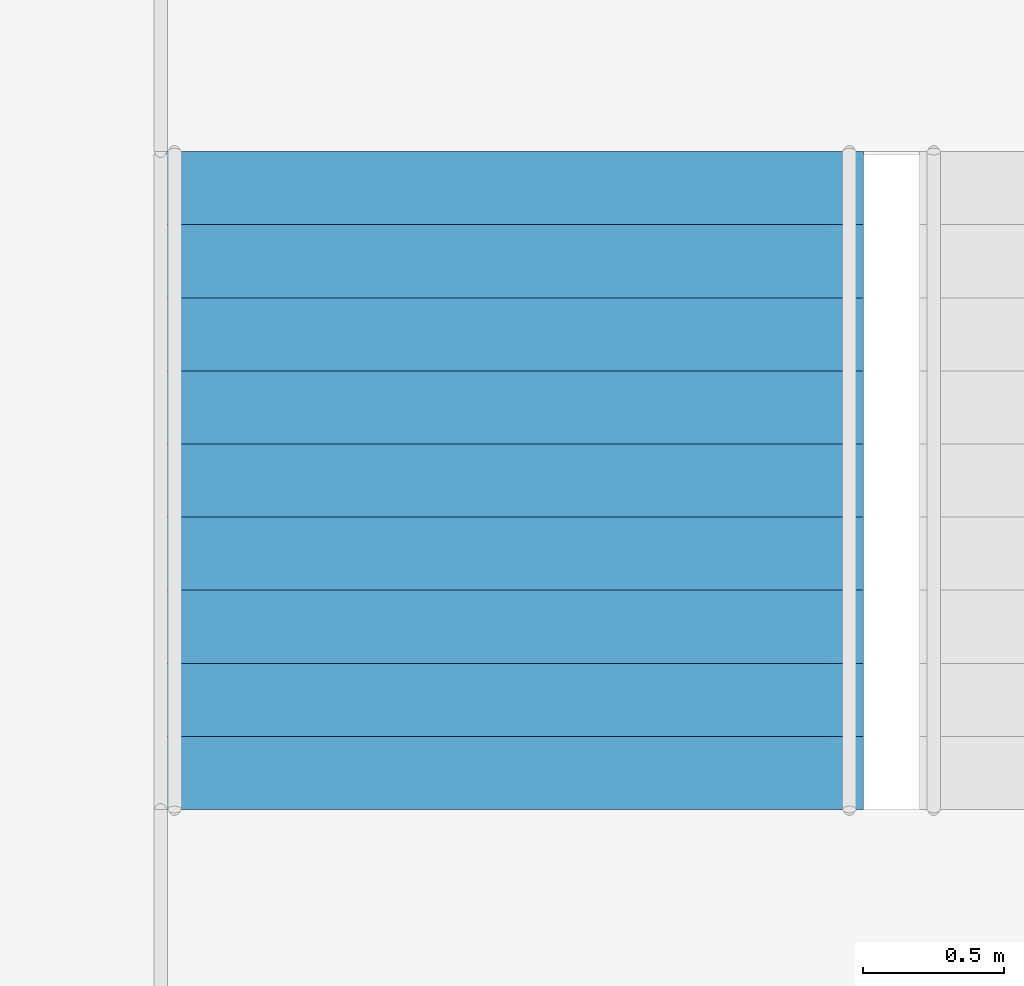
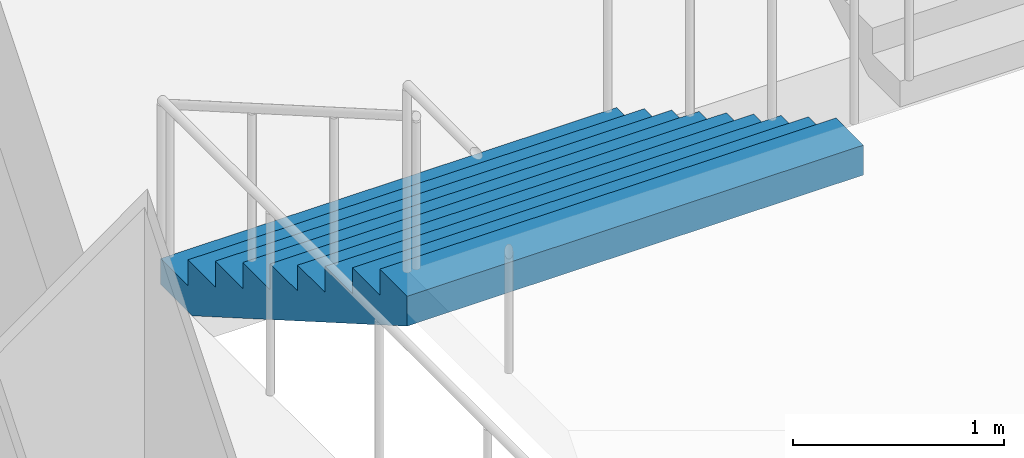
# One storey, part 70 of 100: 1 stair flight, 1 element without a shape of its own.
"""IFC4 building model written with IfcOpenShell, lengths in metres."""

from ifc_helpers import new_model, si_unit, direction, frame, origin, place, context, subcontext, project, spatial, triangles, material, type_object, element, aggregate, save


model = new_model("IFC4")

# Units and contexts
model_context = context("Model", 3, precision=1e-05, world=origin(), true_north=direction((0.0, 1.0)))
body_context = subcontext(model_context, "Body", "Model", "MODEL_VIEW")
ifc_project = project(units=[si_unit("LENGTHUNIT", "METRE"), si_unit("AREAUNIT", "SQUARE_METRE"), si_unit("VOLUMEUNIT", "CUBIC_METRE"), si_unit("PLANEANGLEUNIT", "RADIAN"), si_unit("MASSUNIT", "GRAM", prefix="KILO")], contexts=[model_context])

# Site, building, storey
site_placement = place(None, origin())
site = spatial("IfcSite", under=ifc_project, at=site_placement, CompositionType="ELEMENT")
building_placement = place(site_placement, origin())
building = spatial("IfcBuilding", under=site, at=building_placement, Name="Hakoniwa Tower and Hamabe Station Hall", CompositionType="ELEMENT")
storey_placement = place(building_placement, frame((0.0, 0.0, 9.0)))
storey = spatial("IfcBuildingStorey", under=building, at=storey_placement, Name="L02", CompositionType="ELEMENT", Elevation=9.0)

# Stair, stair flight
ifc_material_1 = material(Name="Concrete C40", Category="concrete")
stair_type = type_object("IfcStairType", Name="STAIR 2500 10X150", PredefinedType="HALF_TURN_STAIR", material=ifc_material_1)
stair_placement = place(storey_placement, origin())
stair = element("IfcStair", 1, at=stair_placement, inside=storey, type_object=stair_type, Name="Escape stair PS2", PredefinedType="HALF_TURN_STAIR")
ifc_material_2 = material(Name="Concrete C40", Category="concrete")
stair_flight_type = type_object("IfcStairFlightType", Name="STAIR FLIGHT 2500", PredefinedType="STRAIGHT", material=ifc_material_2)
stair_flight_placement = place(storey_placement, frame((45.10009765625, 22.35009765625, 0.0), z_axis=(0.0, 0.0, 1.0), x_axis=(0.0, -1.0, 0.0)))
stair_flight = element("IfcStairFlight", 2, at=stair_flight_placement, type_object=stair_flight_type, Name="PS2 flight 1", NumberOfRisers=10, NumberOfTreads=9, PredefinedType="STRAIGHT", RiserHeight=0.15, TreadLength=0.26, context=body_context, shape_type="Tessellation", body=[
    triangles([(0.0, 1.25, 0.0), (0.260009765625, 1.25, 0.0), (0.300048828125, 1.25, 0.0), (0.52001953125, 1.25, 0.126953125), (0.780029296875, 1.25, 0.27685546875), (1.0400390625, 1.25, 0.427001953125), (1.300048828125, 1.25, 0.576904296875), (1.56005859375, 1.25, 0.72705078125), (1.820068359375, 1.25, 0.876953125), (2.080078125, 1.25, 1.02685546875), (2.340087890625, 1.25, 1.177001953125), (2.340087890625, 1.25, 1.35009765625), (2.080078125, 1.25, 1.35009765625), (2.080078125, 1.25, 1.199951171875), (1.820068359375, 1.25, 1.199951171875), (1.820068359375, 1.25, 1.050048828125), (1.56005859375, 1.25, 1.050048828125), (1.56005859375, 1.25, 0.89990234375), (1.300048828125, 1.25, 0.89990234375), (1.300048828125, 1.25, 0.75), (1.0400390625, 1.25, 0.75), (1.0400390625, 1.25, 0.60009765625), (0.780029296875, 1.25, 0.60009765625), (0.780029296875, 1.25, 0.449951171875), (0.52001953125, 1.25, 0.449951171875), (0.52001953125, 1.25, 0.300048828125), (0.300048828125, 1.25, 0.300048828125), (0.260009765625, 1.25, 0.300048828125), (0.260009765625, 1.25, 0.14990234375), (0.0, 1.25, 0.14990234375), (0.0, 0.06005859375, 0.0), (0.260009765625, 0.06005859375, 0.0), (0.300048828125, 0.06005859375, 0.0), (0.52001953125, 0.06005859375, 0.126953125), (0.780029296875, 0.06005859375, 0.27685546875), (1.0400390625, 0.06005859375, 0.427001953125), (1.300048828125, 0.06005859375, 0.576904296875), (1.56005859375, 0.06005859375, 0.72705078125), (1.820068359375, 0.06005859375, 0.876953125), (2.080078125, 0.06005859375, 1.02685546875), (2.340087890625, 0.06005859375, 1.177001953125), (2.340087890625, 0.06005859375, 1.35009765625), (2.080078125, 0.06005859375, 1.35009765625), (2.080078125, 0.06005859375, 1.199951171875), (1.820068359375, 0.06005859375, 1.199951171875), (1.820068359375, 0.06005859375, 1.050048828125), (1.56005859375, 0.06005859375, 1.050048828125), (1.56005859375, 0.06005859375, 0.89990234375), (1.300048828125, 0.06005859375, 0.89990234375), (1.300048828125, 0.06005859375, 0.75), (1.0400390625, 0.06005859375, 0.75), (1.0400390625, 0.06005859375, 0.60009765625), (0.780029296875, 0.06005859375, 0.60009765625), (0.780029296875, 0.06005859375, 0.449951171875), (0.52001953125, 0.06005859375, 0.449951171875), (0.52001953125, 0.06005859375, 0.300048828125), (0.300048828125, 0.06005859375, 0.300048828125), (0.260009765625, 0.06005859375, 0.300048828125), (0.260009765625, 0.06005859375, 0.14990234375), (0.0, 0.06005859375, 0.14990234375), (0.0, 0.049072265625, 0.0), (0.260009765625, 0.049072265625, 0.0), (0.300048828125, 0.049072265625, 0.0), (0.52001953125, 0.049072265625, 0.126953125), (0.780029296875, 0.049072265625, 0.27685546875), (1.0400390625, 0.049072265625, 0.427001953125), (1.300048828125, 0.049072265625, 0.576904296875), (1.56005859375, 0.049072265625, 0.72705078125), (1.820068359375, 0.049072265625, 0.876953125), (2.080078125, 0.049072265625, 1.02685546875), (2.340087890625, 0.049072265625, 1.177001953125), (2.340087890625, 0.049072265625, 1.35009765625), (2.080078125, 0.049072265625, 1.35009765625), (2.080078125, 0.049072265625, 1.199951171875), (1.820068359375, 0.049072265625, 1.199951171875), (1.820068359375, 0.049072265625, 1.050048828125), (1.56005859375, 0.049072265625, 1.050048828125), (1.56005859375, 0.049072265625, 0.89990234375), (1.300048828125, 0.049072265625, 0.89990234375), (1.300048828125, 0.049072265625, 0.75), (1.0400390625, 0.049072265625, 0.75), (1.0400390625, 0.049072265625, 0.60009765625), (0.780029296875, 0.049072265625, 0.60009765625), (0.780029296875, 0.049072265625, 0.449951171875), (0.52001953125, 0.049072265625, 0.449951171875), (0.52001953125, 0.049072265625, 0.300048828125), (0.300048828125, 0.049072265625, 0.300048828125), (0.260009765625, 0.049072265625, 0.300048828125), (0.260009765625, 0.049072265625, 0.14990234375), (0.0, 0.049072265625, 0.14990234375), (0.0, 0.0380859375, 0.0), (0.260009765625, 0.0380859375, 0.0), (0.300048828125, 0.0380859375, 0.0), (0.52001953125, 0.0380859375, 0.126953125), (0.780029296875, 0.0380859375, 0.27685546875), (1.0400390625, 0.0380859375, 0.427001953125), (1.300048828125, 0.0380859375, 0.576904296875), (1.56005859375, 0.0380859375, 0.72705078125), (1.820068359375, 0.0380859375, 0.876953125), (2.080078125, 0.0380859375, 1.02685546875), (2.340087890625, 0.0380859375, 1.177001953125), (2.340087890625, 0.0380859375, 1.35009765625), (2.080078125, 0.0380859375, 1.35009765625), (2.080078125, 0.0380859375, 1.199951171875), (1.820068359375, 0.0380859375, 1.199951171875), (1.820068359375, 0.0380859375, 1.050048828125), (1.56005859375, 0.0380859375, 1.050048828125), (1.56005859375, 0.0380859375, 0.89990234375), (1.300048828125, 0.0380859375, 0.89990234375), (1.300048828125, 0.0380859375, 0.75), (1.0400390625, 0.0380859375, 0.75), (1.0400390625, 0.0380859375, 0.60009765625), (0.780029296875, 0.0380859375, 0.60009765625), (0.780029296875, 0.0380859375, 0.449951171875), (0.52001953125, 0.0380859375, 0.449951171875), (0.52001953125, 0.0380859375, 0.300048828125), (0.300048828125, 0.0380859375, 0.300048828125), (0.260009765625, 0.0380859375, 0.300048828125), (0.260009765625, 0.0380859375, 0.14990234375), (0.0, 0.0380859375, 0.14990234375), (0.0, 0.02734375, 0.0), (0.260009765625, 0.02734375, 0.0), (0.300048828125, 0.02734375, 0.0), (0.52001953125, 0.02734375, 0.126953125), (0.780029296875, 0.02734375, 0.27685546875), (1.0400390625, 0.02734375, 0.427001953125), (1.300048828125, 0.02734375, 0.576904296875), (1.56005859375, 0.02734375, 0.72705078125), (1.820068359375, 0.02734375, 0.876953125), (2.080078125, 0.02734375, 1.02685546875), (2.340087890625, 0.02734375, 1.177001953125), (2.340087890625, 0.02734375, 1.35009765625), (2.080078125, 0.02734375, 1.35009765625), (2.080078125, 0.02734375, 1.199951171875), (1.820068359375, 0.02734375, 1.199951171875), (1.820068359375, 0.02734375, 1.050048828125), (1.56005859375, 0.02734375, 1.050048828125), (1.56005859375, 0.02734375, 0.89990234375), (1.300048828125, 0.02734375, 0.89990234375), (1.300048828125, 0.02734375, 0.75), (1.0400390625, 0.02734375, 0.75), (1.0400390625, 0.02734375, 0.60009765625), (0.780029296875, 0.02734375, 0.60009765625), (0.780029296875, 0.02734375, 0.449951171875), (0.52001953125, 0.02734375, 0.449951171875), (0.52001953125, 0.02734375, 0.300048828125), (0.300048828125, 0.02734375, 0.300048828125), (0.260009765625, 0.02734375, 0.300048828125), (0.260009765625, 0.02734375, 0.14990234375), (0.0, 0.02734375, 0.14990234375), (0.0, 0.016357421875, 0.0), (0.260009765625, 0.016357421875, 0.0), (0.300048828125, 0.016357421875, 0.0), (0.52001953125, 0.016357421875, 0.126953125), (0.780029296875, 0.016357421875, 0.27685546875), (1.0400390625, 0.016357421875, 0.427001953125), (1.300048828125, 0.016357421875, 0.576904296875), (1.56005859375, 0.016357421875, 0.72705078125), (1.820068359375, 0.016357421875, 0.876953125), (2.080078125, 0.016357421875, 1.02685546875), (2.340087890625, 0.016357421875, 1.177001953125), (2.340087890625, 0.016357421875, 1.35009765625), (2.080078125, 0.016357421875, 1.35009765625), (2.080078125, 0.016357421875, 1.199951171875), (1.820068359375, 0.016357421875, 1.199951171875), (1.820068359375, 0.016357421875, 1.050048828125), (1.56005859375, 0.016357421875, 1.050048828125), (1.56005859375, 0.016357421875, 0.89990234375), (1.300048828125, 0.016357421875, 0.89990234375), (1.300048828125, 0.016357421875, 0.75), (1.0400390625, 0.016357421875, 0.75), (1.0400390625, 0.016357421875, 0.60009765625), (0.780029296875, 0.016357421875, 0.60009765625), (0.780029296875, 0.016357421875, 0.449951171875), (0.52001953125, 0.016357421875, 0.449951171875), (0.52001953125, 0.016357421875, 0.300048828125), (0.300048828125, 0.016357421875, 0.300048828125), (0.260009765625, 0.016357421875, 0.300048828125), (0.260009765625, 0.016357421875, 0.14990234375), (0.0, 0.016357421875, 0.14990234375), (0.0, 0.00537109375, 0.0), (0.260009765625, 0.00537109375, 0.0), (0.300048828125, 0.00537109375, 0.0), (0.52001953125, 0.00537109375, 0.126953125), (0.780029296875, 0.00537109375, 0.27685546875), (1.0400390625, 0.00537109375, 0.427001953125), (1.300048828125, 0.00537109375, 0.576904296875), (1.56005859375, 0.00537109375, 0.72705078125), (1.820068359375, 0.00537109375, 0.876953125), (2.080078125, 0.00537109375, 1.02685546875), (2.340087890625, 0.00537109375, 1.177001953125), (2.340087890625, 0.00537109375, 1.35009765625), (2.080078125, 0.00537109375, 1.35009765625), (2.080078125, 0.00537109375, 1.199951171875), (1.820068359375, 0.00537109375, 1.199951171875), (1.820068359375, 0.00537109375, 1.050048828125), (1.56005859375, 0.00537109375, 1.050048828125), (1.56005859375, 0.00537109375, 0.89990234375), (1.300048828125, 0.00537109375, 0.89990234375), (1.300048828125, 0.00537109375, 0.75), (1.0400390625, 0.00537109375, 0.75), (1.0400390625, 0.00537109375, 0.60009765625), (0.780029296875, 0.00537109375, 0.60009765625), (0.780029296875, 0.00537109375, 0.449951171875), (0.52001953125, 0.00537109375, 0.449951171875), (0.52001953125, 0.00537109375, 0.300048828125), (0.300048828125, 0.00537109375, 0.300048828125), (0.260009765625, 0.00537109375, 0.300048828125), (0.260009765625, 0.00537109375, 0.14990234375), (0.0, 0.00537109375, 0.14990234375), (0.0, -0.00537109375, 0.0), (0.260009765625, -0.00537109375, 0.0), (0.300048828125, -0.00537109375, 0.0), (0.52001953125, -0.00537109375, 0.126953125), (0.780029296875, -0.00537109375, 0.27685546875), (1.0400390625, -0.00537109375, 0.427001953125), (1.300048828125, -0.00537109375, 0.576904296875), (1.56005859375, -0.00537109375, 0.72705078125), (1.820068359375, -0.00537109375, 0.876953125), (2.080078125, -0.00537109375, 1.02685546875), (2.340087890625, -0.00537109375, 1.177001953125), (2.340087890625, -0.00537109375, 1.35009765625), (2.080078125, -0.00537109375, 1.35009765625), (2.080078125, -0.00537109375, 1.199951171875), (1.820068359375, -0.00537109375, 1.199951171875), (1.820068359375, -0.00537109375, 1.050048828125), (1.56005859375, -0.00537109375, 1.050048828125), (1.56005859375, -0.00537109375, 0.89990234375), (1.300048828125, -0.00537109375, 0.89990234375), (1.300048828125, -0.00537109375, 0.75), (1.0400390625, -0.00537109375, 0.75), (1.0400390625, -0.00537109375, 0.60009765625), (0.780029296875, -0.00537109375, 0.60009765625), (0.780029296875, -0.00537109375, 0.449951171875), (0.52001953125, -0.00537109375, 0.449951171875), (0.52001953125, -0.00537109375, 0.300048828125), (0.300048828125, -0.00537109375, 0.300048828125), (0.260009765625, -0.00537109375, 0.300048828125), (0.260009765625, -0.00537109375, 0.14990234375), (0.0, -0.00537109375, 0.14990234375), (0.0, -0.016357421875, 0.0), (0.260009765625, -0.016357421875, 0.0), (0.300048828125, -0.016357421875, 0.0), (0.52001953125, -0.016357421875, 0.126953125), (0.780029296875, -0.016357421875, 0.27685546875), (1.0400390625, -0.016357421875, 0.427001953125), (1.300048828125, -0.016357421875, 0.576904296875), (1.56005859375, -0.016357421875, 0.72705078125), (1.820068359375, -0.016357421875, 0.876953125), (2.080078125, -0.016357421875, 1.02685546875), (2.340087890625, -0.016357421875, 1.177001953125), (2.340087890625, -0.016357421875, 1.35009765625), (2.080078125, -0.016357421875, 1.35009765625), (2.080078125, -0.016357421875, 1.199951171875), (1.820068359375, -0.016357421875, 1.199951171875), (1.820068359375, -0.016357421875, 1.050048828125), (1.56005859375, -0.016357421875, 1.050048828125), (1.56005859375, -0.016357421875, 0.89990234375), (1.300048828125, -0.016357421875, 0.89990234375), (1.300048828125, -0.016357421875, 0.75), (1.0400390625, -0.016357421875, 0.75), (1.0400390625, -0.016357421875, 0.60009765625), (0.780029296875, -0.016357421875, 0.60009765625), (0.780029296875, -0.016357421875, 0.449951171875), (0.52001953125, -0.016357421875, 0.449951171875), (0.52001953125, -0.016357421875, 0.300048828125), (0.300048828125, -0.016357421875, 0.300048828125), (0.260009765625, -0.016357421875, 0.300048828125), (0.260009765625, -0.016357421875, 0.14990234375), (0.0, -0.016357421875, 0.14990234375), (0.0, -0.02734375, 0.0), (0.260009765625, -0.02734375, 0.0), (0.300048828125, -0.02734375, 0.0), (0.52001953125, -0.02734375, 0.126953125), (0.780029296875, -0.02734375, 0.27685546875), (1.0400390625, -0.02734375, 0.427001953125), (1.300048828125, -0.02734375, 0.576904296875), (1.56005859375, -0.02734375, 0.72705078125), (1.820068359375, -0.02734375, 0.876953125), (2.080078125, -0.02734375, 1.02685546875), (2.340087890625, -0.02734375, 1.177001953125), (2.340087890625, -0.02734375, 1.35009765625), (2.080078125, -0.02734375, 1.35009765625), (2.080078125, -0.02734375, 1.199951171875), (1.820068359375, -0.02734375, 1.199951171875), (1.820068359375, -0.02734375, 1.050048828125), (1.56005859375, -0.02734375, 1.050048828125), (1.56005859375, -0.02734375, 0.89990234375), (1.300048828125, -0.02734375, 0.89990234375), (1.300048828125, -0.02734375, 0.75), (1.0400390625, -0.02734375, 0.75), (1.0400390625, -0.02734375, 0.60009765625), (0.780029296875, -0.02734375, 0.60009765625), (0.780029296875, -0.02734375, 0.449951171875), (0.52001953125, -0.02734375, 0.449951171875), (0.52001953125, -0.02734375, 0.300048828125), (0.300048828125, -0.02734375, 0.300048828125), (0.260009765625, -0.02734375, 0.300048828125), (0.260009765625, -0.02734375, 0.14990234375), (0.0, -0.02734375, 0.14990234375), (0.0, -0.0380859375, 0.0), (0.260009765625, -0.0380859375, 0.0), (0.300048828125, -0.0380859375, 0.0), (0.52001953125, -0.0380859375, 0.126953125), (0.780029296875, -0.0380859375, 0.27685546875), (1.0400390625, -0.0380859375, 0.427001953125), (1.300048828125, -0.0380859375, 0.576904296875), (1.56005859375, -0.0380859375, 0.72705078125), (1.820068359375, -0.0380859375, 0.876953125), (2.080078125, -0.0380859375, 1.02685546875), (2.340087890625, -0.0380859375, 1.177001953125), (2.340087890625, -0.0380859375, 1.35009765625), (2.080078125, -0.0380859375, 1.35009765625), (2.080078125, -0.0380859375, 1.199951171875), (1.820068359375, -0.0380859375, 1.199951171875), (1.820068359375, -0.0380859375, 1.050048828125), (1.56005859375, -0.0380859375, 1.050048828125), (1.56005859375, -0.0380859375, 0.89990234375), (1.300048828125, -0.0380859375, 0.89990234375), (1.300048828125, -0.0380859375, 0.75), (1.0400390625, -0.0380859375, 0.75), (1.0400390625, -0.0380859375, 0.60009765625), (0.780029296875, -0.0380859375, 0.60009765625), (0.780029296875, -0.0380859375, 0.449951171875), (0.52001953125, -0.0380859375, 0.449951171875), (0.52001953125, -0.0380859375, 0.300048828125), (0.300048828125, -0.0380859375, 0.300048828125), (0.260009765625, -0.0380859375, 0.300048828125), (0.260009765625, -0.0380859375, 0.14990234375), (0.0, -0.0380859375, 0.14990234375), (0.0, -0.049072265625, 0.0), (0.260009765625, -0.049072265625, 0.0), (0.300048828125, -0.049072265625, 0.0), (0.52001953125, -0.049072265625, 0.126953125), (0.780029296875, -0.049072265625, 0.27685546875), (1.0400390625, -0.049072265625, 0.427001953125), (1.300048828125, -0.049072265625, 0.576904296875), (1.56005859375, -0.049072265625, 0.72705078125), (1.820068359375, -0.049072265625, 0.876953125), (2.080078125, -0.049072265625, 1.02685546875), (2.340087890625, -0.049072265625, 1.177001953125), (2.340087890625, -0.049072265625, 1.35009765625), (2.080078125, -0.049072265625, 1.35009765625), (2.080078125, -0.049072265625, 1.199951171875), (1.820068359375, -0.049072265625, 1.199951171875), (1.820068359375, -0.049072265625, 1.050048828125), (1.56005859375, -0.049072265625, 1.050048828125), (1.56005859375, -0.049072265625, 0.89990234375), (1.300048828125, -0.049072265625, 0.89990234375), (1.300048828125, -0.049072265625, 0.75), (1.0400390625, -0.049072265625, 0.75), (1.0400390625, -0.049072265625, 0.60009765625), (0.780029296875, -0.049072265625, 0.60009765625), (0.780029296875, -0.049072265625, 0.449951171875), (0.52001953125, -0.049072265625, 0.449951171875), (0.52001953125, -0.049072265625, 0.300048828125), (0.300048828125, -0.049072265625, 0.300048828125), (0.260009765625, -0.049072265625, 0.300048828125), (0.260009765625, -0.049072265625, 0.14990234375), (0.0, -0.049072265625, 0.14990234375), (0.0, -0.06005859375, 0.0), (0.260009765625, -0.06005859375, 0.0), (0.300048828125, -0.06005859375, 0.0), (0.52001953125, -0.06005859375, 0.126953125), (0.780029296875, -0.06005859375, 0.27685546875), (1.0400390625, -0.06005859375, 0.427001953125), (1.300048828125, -0.06005859375, 0.576904296875), (1.56005859375, -0.06005859375, 0.72705078125), (1.820068359375, -0.06005859375, 0.876953125), (2.080078125, -0.06005859375, 1.02685546875), (2.340087890625, -0.06005859375, 1.177001953125), (2.340087890625, -0.06005859375, 1.35009765625), (2.080078125, -0.06005859375, 1.35009765625), (2.080078125, -0.06005859375, 1.199951171875), (1.820068359375, -0.06005859375, 1.199951171875), (1.820068359375, -0.06005859375, 1.050048828125), (1.56005859375, -0.06005859375, 1.050048828125), (1.56005859375, -0.06005859375, 0.89990234375), (1.300048828125, -0.06005859375, 0.89990234375), (1.300048828125, -0.06005859375, 0.75), (1.0400390625, -0.06005859375, 0.75), (1.0400390625, -0.06005859375, 0.60009765625), (0.780029296875, -0.06005859375, 0.60009765625), (0.780029296875, -0.06005859375, 0.449951171875), (0.52001953125, -0.06005859375, 0.449951171875), (0.52001953125, -0.06005859375, 0.300048828125), (0.300048828125, -0.06005859375, 0.300048828125), (0.260009765625, -0.06005859375, 0.300048828125), (0.260009765625, -0.06005859375, 0.14990234375), (0.0, -0.06005859375, 0.14990234375), (0.0, -1.25, 0.0), (0.260009765625, -1.25, 0.0), (0.300048828125, -1.25, 0.0), (0.52001953125, -1.25, 0.126953125), (0.780029296875, -1.25, 0.27685546875), (1.0400390625, -1.25, 0.427001953125), (1.300048828125, -1.25, 0.576904296875), (1.56005859375, -1.25, 0.72705078125), (1.820068359375, -1.25, 0.876953125), (2.080078125, -1.25, 1.02685546875), (2.340087890625, -1.25, 1.177001953125), (2.340087890625, -1.25, 1.35009765625), (2.080078125, -1.25, 1.35009765625), (2.080078125, -1.25, 1.199951171875), (1.820068359375, -1.25, 1.199951171875), (1.820068359375, -1.25, 1.050048828125), (1.56005859375, -1.25, 1.050048828125), (1.56005859375, -1.25, 0.89990234375), (1.300048828125, -1.25, 0.89990234375), (1.300048828125, -1.25, 0.75), (1.0400390625, -1.25, 0.75), (1.0400390625, -1.25, 0.60009765625), (0.780029296875, -1.25, 0.60009765625), (0.780029296875, -1.25, 0.449951171875), (0.52001953125, -1.25, 0.449951171875), (0.52001953125, -1.25, 0.300048828125), (0.300048828125, -1.25, 0.300048828125), (0.260009765625, -1.25, 0.300048828125), (0.260009765625, -1.25, 0.14990234375), (0.0, -1.25, 0.14990234375)], [[2, 30, 29], [392, 419, 420], [2, 1, 30], [392, 420, 391], [3, 28, 27], [393, 417, 418], [3, 29, 28], [393, 418, 419], [3, 2, 29], [393, 419, 392], [4, 27, 26], [394, 416, 417], [4, 3, 27], [394, 417, 393], [5, 25, 24], [395, 414, 415], [5, 26, 25], [395, 415, 416], [5, 4, 26], [395, 416, 394], [6, 23, 22], [396, 412, 413], [6, 24, 23], [396, 413, 414], [6, 5, 24], [396, 414, 395], [7, 21, 20], [397, 410, 411], [7, 22, 21], [397, 411, 412], [7, 6, 22], [397, 412, 396], [8, 19, 18], [398, 408, 409], [8, 20, 19], [398, 409, 410], [8, 7, 20], [398, 410, 397], [9, 17, 16], [399, 406, 407], [9, 18, 17], [399, 407, 408], [9, 8, 18], [399, 408, 398], [10, 15, 14], [400, 404, 405], [10, 16, 15], [400, 405, 406], [10, 9, 16], [400, 406, 399], [11, 13, 12], [401, 402, 403], [11, 14, 13], [401, 403, 404], [11, 10, 14], [401, 404, 400], [1, 2, 32], [1, 32, 31], [31, 32, 62], [31, 62, 61], [61, 62, 92], [61, 92, 91], [91, 92, 122], [91, 122, 121], [121, 122, 152], [121, 152, 151], [151, 152, 182], [151, 182, 181], [181, 182, 212], [181, 212, 211], [211, 212, 242], [211, 242, 241], [241, 242, 272], [241, 272, 271], [271, 272, 302], [271, 302, 301], [301, 302, 332], [301, 332, 331], [331, 332, 362], [331, 362, 361], [361, 362, 392], [361, 392, 391], [2, 3, 33], [2, 33, 32], [32, 33, 63], [32, 63, 62], [62, 63, 93], [62, 93, 92], [92, 93, 123], [92, 123, 122], [122, 123, 153], [122, 153, 152], [152, 153, 183], [152, 183, 182], [182, 183, 213], [182, 213, 212], [212, 213, 243], [212, 243, 242], [242, 243, 273], [242, 273, 272], [272, 273, 303], [272, 303, 302], [302, 303, 333], [302, 333, 332], [332, 333, 363], [332, 363, 362], [362, 363, 393], [362, 393, 392], [3, 4, 34], [3, 34, 33], [33, 34, 64], [33, 64, 63], [63, 64, 94], [63, 94, 93], [93, 94, 124], [93, 124, 123], [123, 124, 154], [123, 154, 153], [153, 154, 184], [153, 184, 183], [183, 184, 214], [183, 214, 213], [213, 214, 244], [213, 244, 243], [243, 244, 274], [243, 274, 273], [273, 274, 304], [273, 304, 303], [303, 304, 334], [303, 334, 333], [333, 334, 364], [333, 364, 363], [363, 364, 394], [363, 394, 393], [4, 5, 35], [4, 35, 34], [34, 35, 65], [34, 65, 64], [64, 65, 95], [64, 95, 94], [94, 95, 125], [94, 125, 124], [124, 125, 155], [124, 155, 154], [154, 155, 185], [154, 185, 184], [184, 185, 215], [184, 215, 214], [214, 215, 245], [214, 245, 244], [244, 245, 275], [244, 275, 274], [274, 275, 305], [274, 305, 304], [304, 305, 335], [304, 335, 334], [334, 335, 365], [334, 365, 364], [364, 365, 395], [364, 395, 394], [5, 6, 36], [5, 36, 35], [35, 36, 66], [35, 66, 65], [65, 66, 96], [65, 96, 95], [95, 96, 126], [95, 126, 125], [125, 126, 156], [125, 156, 155], [155, 156, 186], [155, 186, 185], [185, 186, 216], [185, 216, 215], [215, 216, 246], [215, 246, 245], [245, 246, 276], [245, 276, 275], [275, 276, 306], [275, 306, 305], [305, 306, 336], [305, 336, 335], [335, 336, 366], [335, 366, 365], [365, 366, 396], [365, 396, 395], [6, 7, 37], [6, 37, 36], [36, 37, 67], [36, 67, 66], [66, 67, 97], [66, 97, 96], [96, 97, 127], [96, 127, 126], [126, 127, 157], [126, 157, 156], [156, 157, 187], [156, 187, 186], [186, 187, 217], [186, 217, 216], [216, 217, 247], [216, 247, 246], [246, 247, 277], [246, 277, 276], [276, 277, 307], [276, 307, 306], [306, 307, 337], [306, 337, 336], [336, 337, 367], [336, 367, 366], [366, 367, 397], [366, 397, 396], [7, 8, 38], [7, 38, 37], [37, 38, 68], [37, 68, 67], [67, 68, 98], [67, 98, 97], [97, 98, 128], [97, 128, 127], [127, 128, 158], [127, 158, 157], [157, 158, 188], [157, 188, 187], [187, 188, 218], [187, 218, 217], [217, 218, 248], [217, 248, 247], [247, 248, 278], [247, 278, 277], [277, 278, 308], [277, 308, 307], [307, 308, 338], [307, 338, 337], [337, 338, 368], [337, 368, 367], [367, 368, 398], [367, 398, 397], [8, 9, 39], [8, 39, 38], [38, 39, 69], [38, 69, 68], [68, 69, 99], [68, 99, 98], [98, 99, 129], [98, 129, 128], [128, 129, 159], [128, 159, 158], [158, 159, 189], [158, 189, 188], [188, 189, 219], [188, 219, 218], [218, 219, 249], [218, 249, 248], [248, 249, 279], [248, 279, 278], [278, 279, 309], [278, 309, 308], [308, 309, 339], [308, 339, 338], [338, 339, 369], [338, 369, 368], [368, 369, 399], [368, 399, 398], [9, 10, 40], [9, 40, 39], [39, 40, 70], [39, 70, 69], [69, 70, 100], [69, 100, 99], [99, 100, 130], [99, 130, 129], [129, 130, 160], [129, 160, 159], [159, 160, 190], [159, 190, 189], [189, 190, 220], [189, 220, 219], [219, 220, 250], [219, 250, 249], [249, 250, 280], [249, 280, 279], [279, 280, 310], [279, 310, 309], [309, 310, 340], [309, 340, 339], [339, 340, 370], [339, 370, 369], [369, 370, 400], [369, 400, 399], [10, 11, 41], [10, 41, 40], [40, 41, 71], [40, 71, 70], [70, 71, 101], [70, 101, 100], [100, 101, 131], [100, 131, 130], [130, 131, 161], [130, 161, 160], [160, 161, 191], [160, 191, 190], [190, 191, 221], [190, 221, 220], [220, 221, 251], [220, 251, 250], [250, 251, 281], [250, 281, 280], [280, 281, 311], [280, 311, 310], [310, 311, 341], [310, 341, 340], [340, 341, 371], [340, 371, 370], [370, 371, 401], [370, 401, 400], [11, 12, 42], [11, 42, 41], [41, 42, 72], [41, 72, 71], [71, 72, 102], [71, 102, 101], [101, 102, 132], [101, 132, 131], [131, 132, 162], [131, 162, 161], [161, 162, 192], [161, 192, 191], [191, 192, 222], [191, 222, 221], [221, 222, 252], [221, 252, 251], [251, 252, 282], [251, 282, 281], [281, 282, 312], [281, 312, 311], [311, 312, 342], [311, 342, 341], [341, 342, 372], [341, 372, 371], [371, 372, 402], [371, 402, 401], [12, 13, 43], [12, 43, 42], [42, 43, 73], [42, 73, 72], [72, 73, 103], [72, 103, 102], [102, 103, 133], [102, 133, 132], [132, 133, 163], [132, 163, 162], [162, 163, 193], [162, 193, 192], [192, 193, 223], [192, 223, 222], [222, 223, 253], [222, 253, 252], [252, 253, 283], [252, 283, 282], [282, 283, 313], [282, 313, 312], [312, 313, 343], [312, 343, 342], [342, 343, 373], [342, 373, 372], [372, 373, 403], [372, 403, 402], [13, 14, 44], [13, 44, 43], [43, 44, 74], [43, 74, 73], [73, 74, 104], [73, 104, 103], [103, 104, 134], [103, 134, 133], [133, 134, 164], [133, 164, 163], [163, 164, 194], [163, 194, 193], [193, 194, 224], [193, 224, 223], [223, 224, 254], [223, 254, 253], [253, 254, 284], [253, 284, 283], [283, 284, 314], [283, 314, 313], [313, 314, 344], [313, 344, 343], [343, 344, 374], [343, 374, 373], [373, 374, 404], [373, 404, 403], [14, 15, 45], [14, 45, 44], [44, 45, 75], [44, 75, 74], [74, 75, 105], [74, 105, 104], [104, 105, 135], [104, 135, 134], [134, 135, 165], [134, 165, 164], [164, 165, 195], [164, 195, 194], [194, 195, 225], [194, 225, 224], [224, 225, 255], [224, 255, 254], [254, 255, 285], [254, 285, 284], [284, 285, 315], [284, 315, 314], [314, 315, 345], [314, 345, 344], [344, 345, 375], [344, 375, 374], [374, 375, 405], [374, 405, 404], [15, 16, 46], [15, 46, 45], [45, 46, 76], [45, 76, 75], [75, 76, 106], [75, 106, 105], [105, 106, 136], [105, 136, 135], [135, 136, 166], [135, 166, 165], [165, 166, 196], [165, 196, 195], [195, 196, 226], [195, 226, 225], [225, 226, 256], [225, 256, 255], [255, 256, 286], [255, 286, 285], [285, 286, 316], [285, 316, 315], [315, 316, 346], [315, 346, 345], [345, 346, 376], [345, 376, 375], [375, 376, 406], [375, 406, 405], [16, 17, 47], [16, 47, 46], [46, 47, 77], [46, 77, 76], [76, 77, 107], [76, 107, 106], [106, 107, 137], [106, 137, 136], [136, 137, 167], [136, 167, 166], [166, 167, 197], [166, 197, 196], [196, 197, 227], [196, 227, 226], [226, 227, 257], [226, 257, 256], [256, 257, 287], [256, 287, 286], [286, 287, 317], [286, 317, 316], [316, 317, 347], [316, 347, 346], [346, 347, 377], [346, 377, 376], [376, 377, 407], [376, 407, 406], [17, 18, 48], [17, 48, 47], [47, 48, 78], [47, 78, 77], [77, 78, 108], [77, 108, 107], [107, 108, 138], [107, 138, 137], [137, 138, 168], [137, 168, 167], [167, 168, 198], [167, 198, 197], [197, 198, 228], [197, 228, 227], [227, 228, 258], [227, 258, 257], [257, 258, 288], [257, 288, 287], [287, 288, 318], [287, 318, 317], [317, 318, 348], [317, 348, 347], [347, 348, 378], [347, 378, 377], [377, 378, 408], [377, 408, 407], [18, 19, 49], [18, 49, 48], [48, 49, 79], [48, 79, 78], [78, 79, 109], [78, 109, 108], [108, 109, 139], [108, 139, 138], [138, 139, 169], [138, 169, 168], [168, 169, 199], [168, 199, 198], [198, 199, 229], [198, 229, 228], [228, 229, 259], [228, 259, 258], [258, 259, 289], [258, 289, 288], [288, 289, 319], [288, 319, 318], [318, 319, 349], [318, 349, 348], [348, 349, 379], [348, 379, 378], [378, 379, 409], [378, 409, 408], [19, 20, 50], [19, 50, 49], [49, 50, 80], [49, 80, 79], [79, 80, 110], [79, 110, 109], [109, 110, 140], [109, 140, 139], [139, 140, 170], [139, 170, 169], [169, 170, 200], [169, 200, 199], [199, 200, 230], [199, 230, 229], [229, 230, 260], [229, 260, 259], [259, 260, 290], [259, 290, 289], [289, 290, 320], [289, 320, 319], [319, 320, 350], [319, 350, 349], [349, 350, 380], [349, 380, 379], [379, 380, 410], [379, 410, 409], [20, 21, 51], [20, 51, 50], [50, 51, 81], [50, 81, 80], [80, 81, 111], [80, 111, 110], [110, 111, 141], [110, 141, 140], [140, 141, 171], [140, 171, 170], [170, 171, 201], [170, 201, 200], [200, 201, 231], [200, 231, 230], [230, 231, 261], [230, 261, 260], [260, 261, 291], [260, 291, 290], [290, 291, 321], [290, 321, 320], [320, 321, 351], [320, 351, 350], [350, 351, 381], [350, 381, 380], [380, 381, 411], [380, 411, 410], [21, 22, 52], [21, 52, 51], [51, 52, 82], [51, 82, 81], [81, 82, 112], [81, 112, 111], [111, 112, 142], [111, 142, 141], [141, 142, 172], [141, 172, 171], [171, 172, 202], [171, 202, 201], [201, 202, 232], [201, 232, 231], [231, 232, 262], [231, 262, 261], [261, 262, 292], [261, 292, 291], [291, 292, 322], [291, 322, 321], [321, 322, 352], [321, 352, 351], [351, 352, 382], [351, 382, 381], [381, 382, 412], [381, 412, 411], [22, 23, 53], [22, 53, 52], [52, 53, 83], [52, 83, 82], [82, 83, 113], [82, 113, 112], [112, 113, 143], [112, 143, 142], [142, 143, 173], [142, 173, 172], [172, 173, 203], [172, 203, 202], [202, 203, 233], [202, 233, 232], [232, 233, 263], [232, 263, 262], [262, 263, 293], [262, 293, 292], [292, 293, 323], [292, 323, 322], [322, 323, 353], [322, 353, 352], [352, 353, 383], [352, 383, 382], [382, 383, 413], [382, 413, 412], [23, 24, 54], [23, 54, 53], [53, 54, 84], [53, 84, 83], [83, 84, 114], [83, 114, 113], [113, 114, 144], [113, 144, 143], [143, 144, 174], [143, 174, 173], [173, 174, 204], [173, 204, 203], [203, 204, 234], [203, 234, 233], [233, 234, 264], [233, 264, 263], [263, 264, 294], [263, 294, 293], [293, 294, 324], [293, 324, 323], [323, 324, 354], [323, 354, 353], [353, 354, 384], [353, 384, 383], [383, 384, 414], [383, 414, 413], [24, 25, 55], [24, 55, 54], [54, 55, 85], [54, 85, 84], [84, 85, 115], [84, 115, 114], [114, 115, 145], [114, 145, 144], [144, 145, 175], [144, 175, 174], [174, 175, 205], [174, 205, 204], [204, 205, 235], [204, 235, 234], [234, 235, 265], [234, 265, 264], [264, 265, 295], [264, 295, 294], [294, 295, 325], [294, 325, 324], [324, 325, 355], [324, 355, 354], [354, 355, 385], [354, 385, 384], [384, 385, 415], [384, 415, 414], [25, 26, 56], [25, 56, 55], [55, 56, 86], [55, 86, 85], [85, 86, 116], [85, 116, 115], [115, 116, 146], [115, 146, 145], [145, 146, 176], [145, 176, 175], [175, 176, 206], [175, 206, 205], [205, 206, 236], [205, 236, 235], [235, 236, 266], [235, 266, 265], [265, 266, 296], [265, 296, 295], [295, 296, 326], [295, 326, 325], [325, 326, 356], [325, 356, 355], [355, 356, 386], [355, 386, 385], [385, 386, 416], [385, 416, 415], [26, 27, 57], [26, 57, 56], [56, 57, 87], [56, 87, 86], [86, 87, 117], [86, 117, 116], [116, 117, 147], [116, 147, 146], [146, 147, 177], [146, 177, 176], [176, 177, 207], [176, 207, 206], [206, 207, 237], [206, 237, 236], [236, 237, 267], [236, 267, 266], [266, 267, 297], [266, 297, 296], [296, 297, 327], [296, 327, 326], [326, 327, 357], [326, 357, 356], [356, 357, 387], [356, 387, 386], [386, 387, 417], [386, 417, 416], [27, 28, 58], [27, 58, 57], [57, 58, 88], [57, 88, 87], [87, 88, 118], [87, 118, 117], [117, 118, 148], [117, 148, 147], [147, 148, 178], [147, 178, 177], [177, 178, 208], [177, 208, 207], [207, 208, 238], [207, 238, 237], [237, 238, 268], [237, 268, 267], [267, 268, 298], [267, 298, 297], [297, 298, 328], [297, 328, 327], [327, 328, 358], [327, 358, 357], [357, 358, 388], [357, 388, 387], [387, 388, 418], [387, 418, 417], [28, 29, 59], [28, 59, 58], [58, 59, 89], [58, 89, 88], [88, 89, 119], [88, 119, 118], [118, 119, 149], [118, 149, 148], [148, 149, 179], [148, 179, 178], [178, 179, 209], [178, 209, 208], [208, 209, 239], [208, 239, 238], [238, 239, 269], [238, 269, 268], [268, 269, 299], [268, 299, 298], [298, 299, 329], [298, 329, 328], [328, 329, 359], [328, 359, 358], [358, 359, 389], [358, 389, 388], [388, 389, 419], [388, 419, 418], [29, 30, 60], [29, 60, 59], [59, 60, 90], [59, 90, 89], [89, 90, 120], [89, 120, 119], [119, 120, 150], [119, 150, 149], [149, 150, 180], [149, 180, 179], [179, 180, 210], [179, 210, 209], [209, 210, 240], [209, 240, 239], [239, 240, 270], [239, 270, 269], [269, 270, 300], [269, 300, 299], [299, 300, 330], [299, 330, 329], [329, 330, 360], [329, 360, 359], [359, 360, 390], [359, 390, 389], [389, 390, 420], [389, 420, 419], [30, 1, 31], [30, 31, 60], [60, 31, 61], [60, 61, 90], [90, 61, 91], [90, 91, 120], [120, 91, 121], [120, 121, 150], [150, 121, 151], [150, 151, 180], [180, 151, 181], [180, 181, 210], [210, 181, 211], [210, 211, 240], [240, 211, 241], [240, 241, 270], [270, 241, 271], [270, 271, 300], [300, 271, 301], [300, 301, 330], [330, 301, 331], [330, 331, 360], [360, 331, 361], [360, 361, 390], [390, 361, 391], [390, 391, 420]], closed=True),
])
aggregate(stair, [stair_flight])

save(model, "model.ifc")
